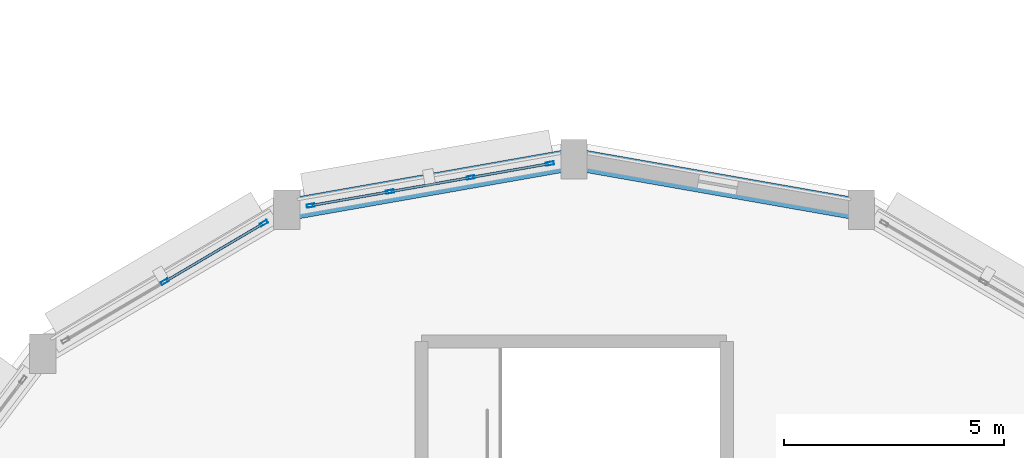
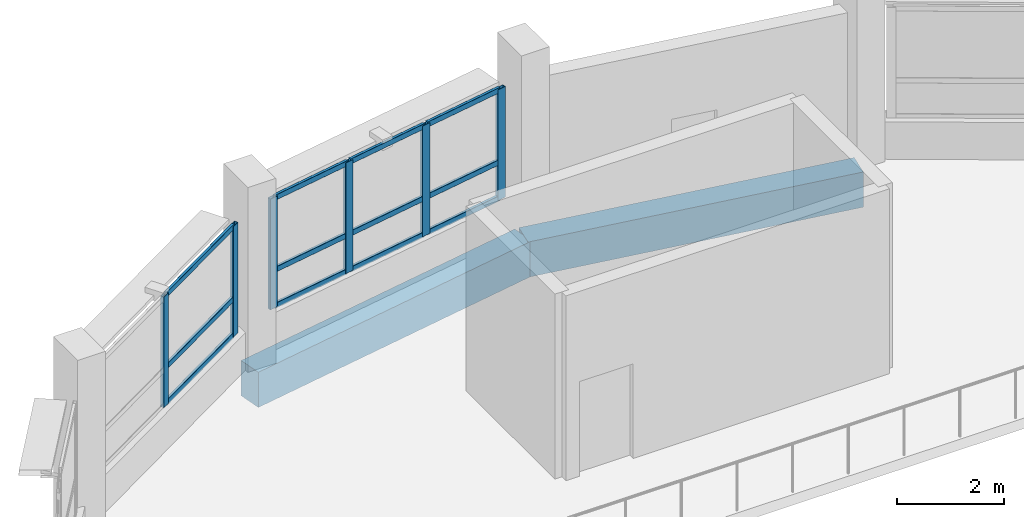
# One storey, part 98 of 128: 18 members, 2 beams, 2 elements without a shape of their own.
"""IFC4 building model written with IfcOpenShell, lengths in metres."""

from ifc_helpers import new_model, si_unit, direction, frame, origin, origin_2d, place, context, subcontext, project, spatial, rectangle, hollow_rectangle, extrude, material, layer, layer_set, material_profile, profile_set, type_object, element, aggregate, save


model = new_model("IFC4")

# Units and contexts
model_context = context("Model", 3, precision=1e-05, world=origin(), true_north=direction((0.0, 1.0)))
body_context = subcontext(model_context, "Body", "Model", "MODEL_VIEW")
ifc_project = project(units=[si_unit("LENGTHUNIT", "METRE"), si_unit("AREAUNIT", "SQUARE_METRE"), si_unit("VOLUMEUNIT", "CUBIC_METRE"), si_unit("PLANEANGLEUNIT", "RADIAN"), si_unit("MASSUNIT", "GRAM", prefix="KILO")], contexts=[model_context])

# Site, building, storey
site_placement = place(None, origin())
site = spatial("IfcSite", under=ifc_project, at=site_placement, CompositionType="ELEMENT")
building_placement = place(site_placement, origin())
building = spatial("IfcBuilding", under=site, at=building_placement, Name="Vespera Passage Community Centre", CompositionType="ELEMENT")
storey_placement = place(building_placement, frame((0.0, 0.0, 4.5)))
storey = spatial("IfcBuildingStorey", under=building, at=storey_placement, Name="L01", CompositionType="ELEMENT", Elevation=4.5)

# Beams
ifc_material_1 = material(Name="Concrete f'c 35 MPa", Category="concrete")
ifc_material_profile_1 = material_profile(ifc_material_1, rectangle(XDim=0.5, YDim=0.800048828125, at=origin_2d()), Name="RC500X800")
ifc_profile_set_1 = profile_set([ifc_material_profile_1], Name="Concrete f'c 35 MPa")
beam_type = type_object("IfcBeamType", Name="BM-SP-500X800E", PredefinedType="SPANDREL", material=ifc_profile_set_1)
for number, where, z_axis, x_axis, name in (
    (1, (149.5439453125, 103.45068359375, -0.639892578125), (-0.984922333185, 0.172997102844, 0.0), (-0.172997102844, -0.984922333185, 0.0), "V2 L01 Perimeter Spandrel 4"),
    (2, (143.0, 104.60009765625, -0.639892578125), (-0.984922333185, -0.172997102844, 0.0), (0.172997102844, -0.984922333185, 0.0), "V2 L01 Perimeter Spandrel 5"),
):
    element("IfcBeam", number, at=place(storey_placement, frame(where, z_axis=z_axis, x_axis=x_axis)), inside=storey, type_object=beam_type, Name=name, PredefinedType="SPANDREL", context=body_context, shape_type="SweptSolid", body=[
        extrude(rectangle(XDim=0.5, YDim=0.800048828125, at=origin_2d()), origin(), (0.0, 0.0, 1.0), 6.64404296875),
    ])

# Curtain wall, members
ifc_material_2 = material(Name="Anodized aluminium 6063-T6", Category="aluminium")
ifc_layer_1 = layer(ifc_material_2, 0.159912109375)
ifc_layer_set_1 = layer_set([ifc_layer_1], Name="Anodized aluminium 6063-T6")
curtain_wall_type_1 = type_object("IfcCurtainWallType", Name="CW-95E", PredefinedType="NOTDEFINED", material=ifc_layer_set_1)
curtain_wall_1_placement = place(storey_placement, origin())
curtain_wall_1 = element("IfcCurtainWall", 3, at=curtain_wall_1_placement, inside=storey, type_object=curtain_wall_type_1, Name="Sports Drum Ribbon Curtain Wall L01.5", PredefinedType="NOTDEFINED")
ifc_material_3 = material(Name="Anodized aluminium 6063-T6", Category="aluminium")
ifc_material_profile_2 = material_profile(ifc_material_3, hollow_rectangle(XDim=0.074951171875, YDim=0.179931640625, WallThickness=0.0048828125, InnerFilletRadius=0.00244140625, OuterFilletRadius=0.0048828125, at=origin_2d()), Name="ALU180X75X5")
ifc_profile_set_2 = profile_set([ifc_material_profile_2], Name="Anodized aluminium 6063-T6")
member_type_1 = type_object("IfcMemberType", Name="MB-CWM-180E", PredefinedType="MULLION", material=ifc_profile_set_2)
member_1_placement = place(storey_placement, frame((137.0048828125, 103.546875, 0.85009765625), z_axis=(0.0, 0.0, 1.0), x_axis=(-0.172994429562, 0.984922802731, 0.0)))
member_1 = element("IfcMember", 4, at=member_1_placement, type_object=member_type_1, Name="CW-95E mullion 1", PredefinedType="MULLION", context=body_context, shape_type="SweptSolid", body=[
    extrude(hollow_rectangle(XDim=0.074951171875, YDim=0.179931640625, WallThickness=0.0048828125, InnerFilletRadius=0.00244140625, OuterFilletRadius=0.0048828125, at=origin_2d()), origin(), (0.0, 0.0, 1.0), 2.514892578125),
])
member_2_placement = place(storey_placement, frame((138.80810546875, 103.86376953125, 0.85009765625), z_axis=(0.0, 0.0, 1.0), x_axis=(-0.172994429562, 0.984922802731, 0.0)))
member_2 = element("IfcMember", 5, at=member_2_placement, type_object=member_type_1, Name="CW-95E mullion 2", PredefinedType="MULLION", context=body_context, shape_type="SweptSolid", body=[
    extrude(hollow_rectangle(XDim=0.074951171875, YDim=0.179931640625, WallThickness=0.0048828125, InnerFilletRadius=0.00244140625, OuterFilletRadius=0.0048828125, at=origin_2d()), origin(), (0.0, 0.0, 1.0), 2.514892578125),
])
member_3_placement = place(storey_placement, frame((140.648193359375, 104.18701171875, 0.85009765625), z_axis=(0.0, 0.0, 1.0), x_axis=(-0.172994429562, 0.984922802731, 0.0)))
member_3 = element("IfcMember", 6, at=member_3_placement, type_object=member_type_1, Name="CW-95E mullion 3", PredefinedType="MULLION", context=body_context, shape_type="SweptSolid", body=[
    extrude(hollow_rectangle(XDim=0.074951171875, YDim=0.179931640625, WallThickness=0.0048828125, InnerFilletRadius=0.00244140625, OuterFilletRadius=0.0048828125, at=origin_2d()), origin(), (0.0, 0.0, 1.0), 2.514892578125),
])
member_4_placement = place(storey_placement, frame((142.451171875, 104.503662109375, 0.85009765625), z_axis=(0.0, 0.0, 1.0), x_axis=(-0.172994429562, 0.984922802731, 0.0)))
member_4 = element("IfcMember", 7, at=member_4_placement, type_object=member_type_1, Name="CW-95E mullion 4", PredefinedType="MULLION", context=body_context, shape_type="SweptSolid", body=[
    extrude(hollow_rectangle(XDim=0.074951171875, YDim=0.179931640625, WallThickness=0.0048828125, InnerFilletRadius=0.00244140625, OuterFilletRadius=0.0048828125, at=origin_2d()), origin(), (0.0, 0.0, 1.0), 2.514892578125),
])

ifc_material_4 = material(Name="Anodized aluminium 6063-T6", Category="aluminium")
ifc_layer_2 = layer(ifc_material_4, 0.159912109375)
ifc_layer_set_2 = layer_set([ifc_layer_2], Name="Anodized aluminium 6063-T6")
curtain_wall_type_2 = type_object("IfcCurtainWallType", Name="CW-94E", PredefinedType="NOTDEFINED", material=ifc_layer_set_2)
curtain_wall_2_placement = place(storey_placement, origin())
curtain_wall_2 = element("IfcCurtainWall", 8, at=curtain_wall_2_placement, inside=storey, type_object=curtain_wall_type_2, Name="Sports Drum Ribbon Curtain Wall L01.6", PredefinedType="NOTDEFINED")
member_5_placement = place(storey_placement, frame((133.682373046875, 101.81396484375, 0.85009765625), z_axis=(0.0, 0.0, 1.0), x_axis=(-0.50817007737, 0.861256740157, 0.0)))
member_5 = element("IfcMember", 9, at=member_5_placement, type_object=member_type_1, Name="CW-94E mullion 2", PredefinedType="MULLION", context=body_context, shape_type="SweptSolid", body=[
    extrude(hollow_rectangle(XDim=0.074951171875, YDim=0.179931640625, WallThickness=0.0048828125, InnerFilletRadius=0.00244140625, OuterFilletRadius=0.0048828125, at=origin_2d()), origin(), (0.0, 0.0, 1.0), 2.514892578125),
])
member_6_placement = place(storey_placement, frame((135.938720703125, 103.145263671875, 0.85009765625), z_axis=(0.0, 0.0, 1.0), x_axis=(-0.50817007737, 0.861256740157, 0.0)))
member_6 = element("IfcMember", 10, at=member_6_placement, type_object=member_type_1, Name="CW-94E mullion 3", PredefinedType="MULLION", context=body_context, shape_type="SweptSolid", body=[
    extrude(hollow_rectangle(XDim=0.074951171875, YDim=0.179931640625, WallThickness=0.0048828125, InnerFilletRadius=0.00244140625, OuterFilletRadius=0.0048828125, at=origin_2d()), origin(), (0.0, 0.0, 1.0), 2.514892578125),
])

# Member
ifc_material_5 = material(Name="Anodized aluminium 6063-T6", Category="aluminium")
ifc_material_profile_3 = material_profile(ifc_material_5, hollow_rectangle(XDim=0.06005859375, YDim=0.1201171875, WallThickness=0.00390625, InnerFilletRadius=0.001953125, OuterFilletRadius=0.00390625, at=origin_2d()), Name="ALU120X60X4")
ifc_profile_set_3 = profile_set([ifc_material_profile_3], Name="Anodized aluminium 6063-T6")
member_type_2 = type_object("IfcMemberType", Name="MB-CWT-120E", PredefinedType="USERDEFINED", material=ifc_profile_set_3)
member_7_placement = place(storey_placement, frame((137.041748046875, 103.553466796875, 0.8798828125), z_axis=(0.984924620758, 0.172984078529, 0.0), x_axis=(-0.172984078529, 0.984924620758, 0.0)))
member_7 = element("IfcMember", 11, at=member_7_placement, type_object=member_type_2, Name="CW-95E transom 1.1", ObjectType="TRANSOM", PredefinedType="USERDEFINED", context=body_context, shape_type="SweptSolid", body=[
    extrude(hollow_rectangle(XDim=0.06005859375, YDim=0.1201171875, WallThickness=0.00390625, InnerFilletRadius=0.001953125, OuterFilletRadius=0.00390625, at=origin_2d()), origin(), (0.0, 0.0, 1.0), 1.755615234375),
])

member_8_placement = place(storey_placement, frame((137.041748046875, 103.553466796875, 1.699951171875), z_axis=(0.984924620758, 0.172984078529, 0.0), x_axis=(-0.172984078529, 0.984924620758, 0.0)))
member_8 = element("IfcMember", 12, at=member_8_placement, type_object=member_type_2, Name="CW-95E transom 1.2", ObjectType="TRANSOM", PredefinedType="USERDEFINED", context=body_context, shape_type="SweptSolid", body=[
    extrude(hollow_rectangle(XDim=0.06005859375, YDim=0.1201171875, WallThickness=0.00390625, InnerFilletRadius=0.001953125, OuterFilletRadius=0.00390625, at=origin_2d()), origin(), (0.0, 0.0, 1.0), 1.755615234375),
])

member_9_placement = place(storey_placement, frame((137.041748046875, 103.553466796875, 3.3349609375), z_axis=(0.984924620758, 0.172984078529, 0.0), x_axis=(-0.172984078529, 0.984924620758, 0.0)))
member_9 = element("IfcMember", 13, at=member_9_placement, type_object=member_type_2, Name="CW-95E transom 1.3", ObjectType="TRANSOM", PredefinedType="USERDEFINED", context=body_context, shape_type="SweptSolid", body=[
    extrude(hollow_rectangle(XDim=0.06005859375, YDim=0.1201171875, WallThickness=0.00390625, InnerFilletRadius=0.001953125, OuterFilletRadius=0.00390625, at=origin_2d()), origin(), (0.0, 0.0, 1.0), 1.755615234375),
])

member_10_placement = place(storey_placement, frame((138.844970703125, 103.8701171875, 0.8798828125), z_axis=(0.984913493542, 0.173047421937, 0.0), x_axis=(-0.173047421937, 0.984913493542, 0.0)))
member_10 = element("IfcMember", 14, at=member_10_placement, type_object=member_type_2, Name="CW-95E transom 2.1", ObjectType="TRANSOM", PredefinedType="USERDEFINED", context=body_context, shape_type="SweptSolid", body=[
    extrude(hollow_rectangle(XDim=0.06005859375, YDim=0.1201171875, WallThickness=0.00390625, InnerFilletRadius=0.001953125, OuterFilletRadius=0.00390625, at=origin_2d()), origin(), (0.0, 0.0, 1.0), 1.793212890625),
])

member_11_placement = place(storey_placement, frame((138.844970703125, 103.8701171875, 1.699951171875), z_axis=(0.984913493542, 0.173047421937, 0.0), x_axis=(-0.173047421937, 0.984913493542, 0.0)))
member_11 = element("IfcMember", 15, at=member_11_placement, type_object=member_type_2, Name="CW-95E transom 2.2", ObjectType="TRANSOM", PredefinedType="USERDEFINED", context=body_context, shape_type="SweptSolid", body=[
    extrude(hollow_rectangle(XDim=0.06005859375, YDim=0.1201171875, WallThickness=0.00390625, InnerFilletRadius=0.001953125, OuterFilletRadius=0.00390625, at=origin_2d()), origin(), (0.0, 0.0, 1.0), 1.793212890625),
])

member_12_placement = place(storey_placement, frame((138.844970703125, 103.8701171875, 3.3349609375), z_axis=(0.984913493542, 0.173047421937, 0.0), x_axis=(-0.173047421937, 0.984913493542, 0.0)))
member_12 = element("IfcMember", 16, at=member_12_placement, type_object=member_type_2, Name="CW-95E transom 2.3", ObjectType="TRANSOM", PredefinedType="USERDEFINED", context=body_context, shape_type="SweptSolid", body=[
    extrude(hollow_rectangle(XDim=0.06005859375, YDim=0.1201171875, WallThickness=0.00390625, InnerFilletRadius=0.001953125, OuterFilletRadius=0.00390625, at=origin_2d()), origin(), (0.0, 0.0, 1.0), 1.793212890625),
])

member_13_placement = place(storey_placement, frame((140.68505859375, 104.193359375, 0.8798828125), z_axis=(0.984924620758, 0.172984078529, 0.0), x_axis=(-0.172984078529, 0.984924620758, 0.0)))
member_13 = element("IfcMember", 17, at=member_13_placement, type_object=member_type_2, Name="CW-95E transom 3.1", ObjectType="TRANSOM", PredefinedType="USERDEFINED", context=body_context, shape_type="SweptSolid", body=[
    extrude(hollow_rectangle(XDim=0.06005859375, YDim=0.1201171875, WallThickness=0.00390625, InnerFilletRadius=0.001953125, OuterFilletRadius=0.00390625, at=origin_2d()), origin(), (0.0, 0.0, 1.0), 1.755615234375),
])

member_14_placement = place(storey_placement, frame((140.68505859375, 104.193359375, 1.699951171875), z_axis=(0.984924620758, 0.172984078529, 0.0), x_axis=(-0.172984078529, 0.984924620758, 0.0)))
member_14 = element("IfcMember", 18, at=member_14_placement, type_object=member_type_2, Name="CW-95E transom 3.2", ObjectType="TRANSOM", PredefinedType="USERDEFINED", context=body_context, shape_type="SweptSolid", body=[
    extrude(hollow_rectangle(XDim=0.06005859375, YDim=0.1201171875, WallThickness=0.00390625, InnerFilletRadius=0.001953125, OuterFilletRadius=0.00390625, at=origin_2d()), origin(), (0.0, 0.0, 1.0), 1.755615234375),
])

member_15_placement = place(storey_placement, frame((140.68505859375, 104.193359375, 3.3349609375), z_axis=(0.984924620758, 0.172984078529, 0.0), x_axis=(-0.172984078529, 0.984924620758, 0.0)))
member_15 = element("IfcMember", 19, at=member_15_placement, type_object=member_type_2, Name="CW-95E transom 3.3", ObjectType="TRANSOM", PredefinedType="USERDEFINED", context=body_context, shape_type="SweptSolid", body=[
    extrude(hollow_rectangle(XDim=0.06005859375, YDim=0.1201171875, WallThickness=0.00390625, InnerFilletRadius=0.001953125, OuterFilletRadius=0.00390625, at=origin_2d()), origin(), (0.0, 0.0, 1.0), 1.755615234375),
])

aggregate(curtain_wall_1, [member_1, member_2, member_3, member_4, member_7, member_8, member_9, member_10, member_11, member_12, member_13, member_14, member_15])

member_16_placement = place(storey_placement, frame((133.714599609375, 101.8330078125, 0.8798828125), z_axis=(0.861245323455, 0.508189426127, 0.0), x_axis=(-0.508189426127, 0.861245323455, 0.0)))
member_16 = element("IfcMember", 20, at=member_16_placement, type_object=member_type_2, Name="CW-94E transom 2.1", ObjectType="TRANSOM", PredefinedType="USERDEFINED", context=body_context, shape_type="SweptSolid", body=[
    extrude(hollow_rectangle(XDim=0.06005859375, YDim=0.1201171875, WallThickness=0.00390625, InnerFilletRadius=0.001953125, OuterFilletRadius=0.00390625, at=origin_2d()), origin(), (0.0, 0.0, 1.0), 2.544677734375),
])

member_17_placement = place(storey_placement, frame((133.714599609375, 101.8330078125, 1.699951171875), z_axis=(0.861245323455, 0.508189426127, 0.0), x_axis=(-0.508189426127, 0.861245323455, 0.0)))
member_17 = element("IfcMember", 21, at=member_17_placement, type_object=member_type_2, Name="CW-94E transom 2.2", ObjectType="TRANSOM", PredefinedType="USERDEFINED", context=body_context, shape_type="SweptSolid", body=[
    extrude(hollow_rectangle(XDim=0.06005859375, YDim=0.1201171875, WallThickness=0.00390625, InnerFilletRadius=0.001953125, OuterFilletRadius=0.00390625, at=origin_2d()), origin(), (0.0, 0.0, 1.0), 2.544677734375),
])

member_18_placement = place(storey_placement, frame((133.714599609375, 101.8330078125, 3.3349609375), z_axis=(0.861245323455, 0.508189426127, 0.0), x_axis=(-0.508189426127, 0.861245323455, 0.0)))
member_18 = element("IfcMember", 22, at=member_18_placement, type_object=member_type_2, Name="CW-94E transom 2.3", ObjectType="TRANSOM", PredefinedType="USERDEFINED", context=body_context, shape_type="SweptSolid", body=[
    extrude(hollow_rectangle(XDim=0.06005859375, YDim=0.1201171875, WallThickness=0.00390625, InnerFilletRadius=0.001953125, OuterFilletRadius=0.00390625, at=origin_2d()), origin(), (0.0, 0.0, 1.0), 2.544677734375),
])

aggregate(curtain_wall_2, [member_5, member_6, member_16, member_17, member_18])

save(model, "model.ifc")
